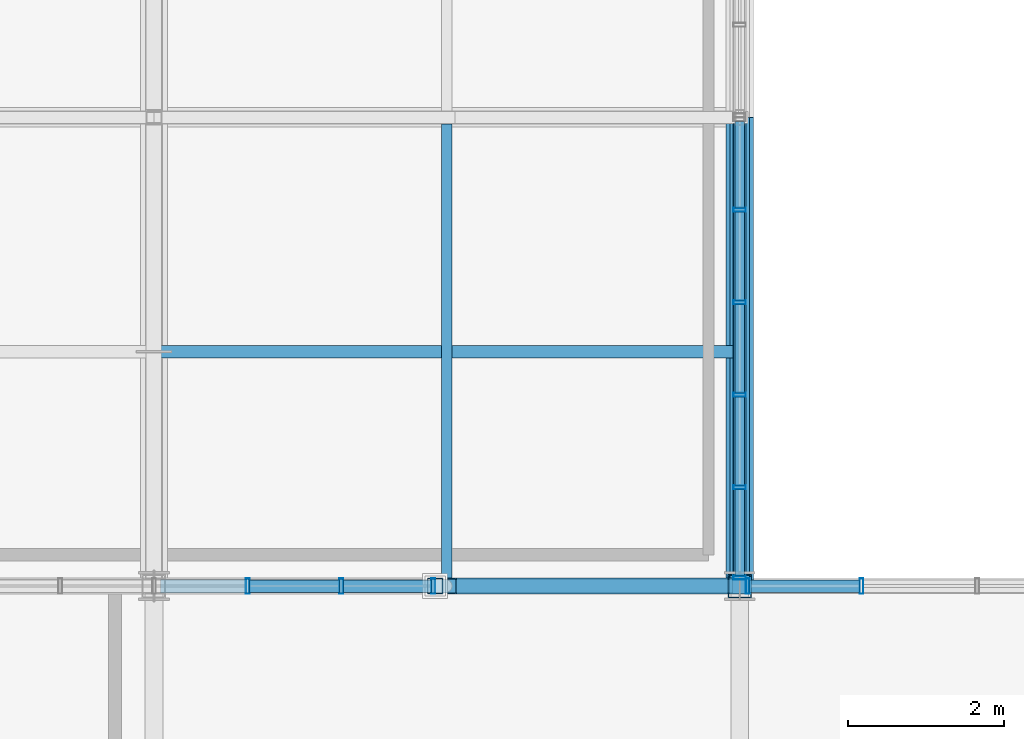
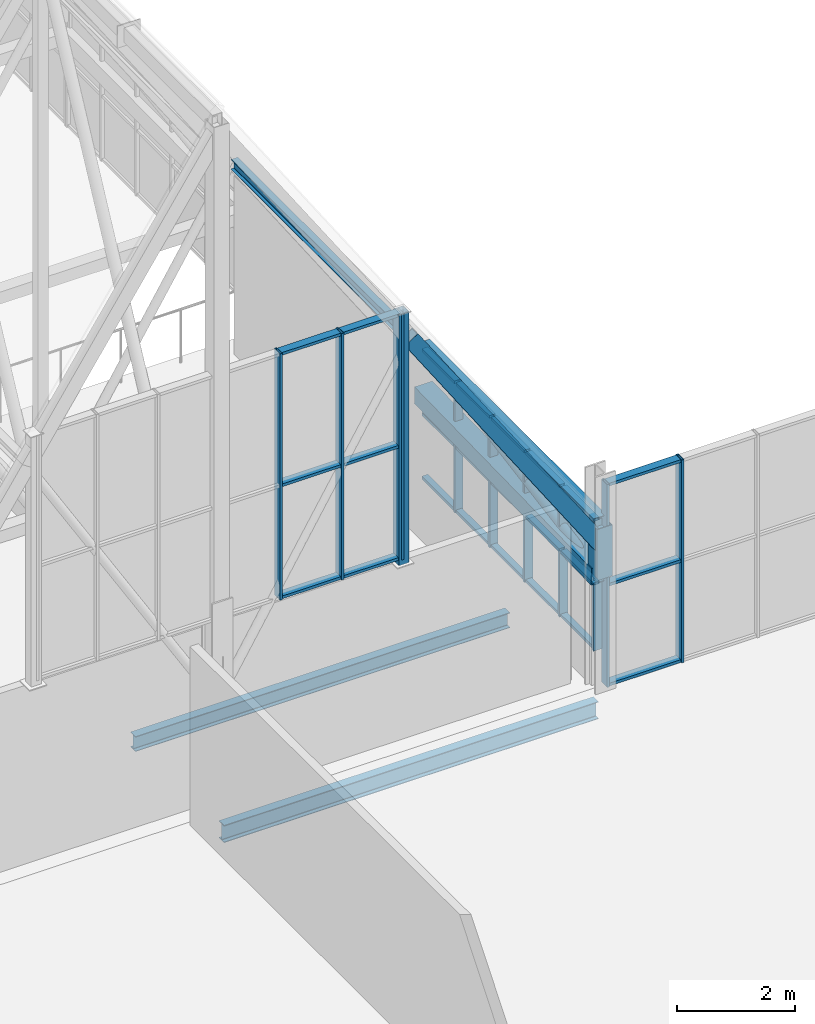
# One storey, part 215 of 324: 40 members, 3 beams, 3 elements without a shape of their own.
"""IFC4 building model written with IfcOpenShell, lengths in metres."""

from ifc_helpers import new_model, si_unit, direction, frame, origin, origin_2d, place, context, subcontext, project, spatial, hollow_rectangle, hollow_circle, i_section, extrude, material, layer, layer_set, material_profile, profile_set, type_object, element, aggregate, save


model = new_model("IFC4")

# Units and contexts
model_context = context("Model", 3, precision=1e-05, world=origin(), true_north=direction((0.0, 1.0)))
body_context = subcontext(model_context, "Body", "Model", "MODEL_VIEW")
ifc_project = project(units=[si_unit("LENGTHUNIT", "METRE"), si_unit("AREAUNIT", "SQUARE_METRE"), si_unit("VOLUMEUNIT", "CUBIC_METRE"), si_unit("PLANEANGLEUNIT", "RADIAN"), si_unit("MASSUNIT", "GRAM", prefix="KILO")], contexts=[model_context])

# Site, building, storey
site_placement = place(None, origin())
site = spatial("IfcSite", under=ifc_project, at=site_placement, CompositionType="ELEMENT")
building_placement = place(site_placement, origin())
building = spatial("IfcBuilding", under=site, at=building_placement, Name="Solvenia Promenade Tram Depot", CompositionType="ELEMENT")
storey_placement = place(building_placement, frame((0.0, 0.0, 4.5)))
storey = spatial("IfcBuildingStorey", under=building, at=storey_placement, Name="L01", CompositionType="ELEMENT", Elevation=4.5)

# Curtain wall, members
ifc_material_1 = material(Name="Anodized aluminium AW-6063 T6", Category="aluminium")
ifc_layer_1 = layer(ifc_material_1, 0.159912109375, Name="Anodized aluminium AW-6063 T6", Category="aluminium")
ifc_layer_set_1 = layer_set([ifc_layer_1], Name="Anodized aluminium AW-6063 T6")
curtain_wall_type_1 = type_object("IfcCurtainWallType", Name="CW-Channel-1200", PredefinedType="NOTDEFINED", material=ifc_layer_set_1)
curtain_wall_1_placement = place(storey_placement, origin())
curtain_wall_1 = element("IfcCurtainWall", 1, at=curtain_wall_1_placement, inside=storey, type_object=curtain_wall_type_1, Name="Curtain Wall CW-V1E-01", PredefinedType="NOTDEFINED")
ifc_material_profile_1 = material_profile(ifc_material_1, hollow_rectangle(XDim=0.159912109375, YDim=0.052001953125, WallThickness=0.00390625, at=origin_2d()), Name="ALU-M1", Category="aluminium")
ifc_profile_set_1 = profile_set([ifc_material_profile_1], Name="Anodized aluminium AW-6063 T6")
member_type_1 = type_object("IfcMemberType", Name="CWM-Mullion-1", PredefinedType="MULLION", material=ifc_profile_set_1)
member_1_placement = place(storey_placement, frame((150.0, 66.10595703125, 0.699951171875), z_axis=(0.0, 0.0, 1.0), x_axis=(-1.0, 0.0, 0.0)))
member_1 = element("IfcMember", 2, at=member_1_placement, type_object=member_type_1, Name="CW-1 mullion 1", PredefinedType="MULLION", context=body_context, shape_type="SweptSolid", body=[
    extrude(hollow_rectangle(XDim=0.159912109375, YDim=0.052001953125, WallThickness=0.00390625, at=origin_2d()), origin(), (0.0, 0.0, 1.0), 2.699951171875),
])
member_2_placement = place(storey_placement, frame((150.0, 67.263916015625, 0.699951171875), z_axis=(0.0, 0.0, 1.0), x_axis=(-1.0, 0.0, 0.0)))
member_2 = element("IfcMember", 3, at=member_2_placement, type_object=member_type_1, Name="CW-1 mullion 2", PredefinedType="MULLION", context=body_context, shape_type="SweptSolid", body=[
    extrude(hollow_rectangle(XDim=0.159912109375, YDim=0.052001953125, WallThickness=0.00390625, at=origin_2d()), origin(), (0.0, 0.0, 1.0), 2.699951171875),
])
member_3_placement = place(storey_placement, frame((150.0, 68.447998046875, 0.699951171875), z_axis=(0.0, 0.0, 1.0), x_axis=(-1.0, 0.0, 0.0)))
member_3 = element("IfcMember", 4, at=member_3_placement, type_object=member_type_1, Name="CW-1 mullion 3", PredefinedType="MULLION", context=body_context, shape_type="SweptSolid", body=[
    extrude(hollow_rectangle(XDim=0.159912109375, YDim=0.052001953125, WallThickness=0.00390625, at=origin_2d()), origin(), (0.0, 0.0, 1.0), 2.699951171875),
])
member_4_placement = place(storey_placement, frame((150.0, 69.632080078125, 0.699951171875), z_axis=(0.0, 0.0, 1.0), x_axis=(-1.0, 0.0, 0.0)))
member_4 = element("IfcMember", 5, at=member_4_placement, type_object=member_type_1, Name="CW-1 mullion 4", PredefinedType="MULLION", context=body_context, shape_type="SweptSolid", body=[
    extrude(hollow_rectangle(XDim=0.159912109375, YDim=0.052001953125, WallThickness=0.00390625, at=origin_2d()), origin(), (0.0, 0.0, 1.0), 2.699951171875),
])
member_5_placement = place(storey_placement, frame((150.0, 70.81591796875, 0.699951171875), z_axis=(0.0, 0.0, 1.0), x_axis=(-1.0, 0.0, 0.0)))
member_5 = element("IfcMember", 6, at=member_5_placement, type_object=member_type_1, Name="CW-1 mullion 5", PredefinedType="MULLION", context=body_context, shape_type="SweptSolid", body=[
    extrude(hollow_rectangle(XDim=0.159912109375, YDim=0.052001953125, WallThickness=0.00390625, at=origin_2d()), origin(), (0.0, 0.0, 1.0), 2.699951171875),
])

ifc_layer_2 = layer(ifc_material_1, 0.14990234375, Name="Anodized aluminium AW-6063 T6", Category="aluminium")
ifc_layer_set_2 = layer_set([ifc_layer_2], Name="Anodized aluminium AW-6063 T6")
curtain_wall_type_2 = type_object("IfcCurtainWallType", Name="CW-Gable-1200", PredefinedType="NOTDEFINED", material=ifc_layer_set_2)
curtain_wall_2_placement = place(storey_placement, origin())
curtain_wall_2 = element("IfcCurtainWall", 7, at=curtain_wall_2_placement, inside=storey, type_object=curtain_wall_type_2, Name="South Zigzag Gable 10 Peak Glazing", PredefinedType="NOTDEFINED")
ifc_material_profile_2 = material_profile(ifc_material_1, hollow_rectangle(XDim=0.199951171875, YDim=0.048095703125, WallThickness=0.00390625, at=origin_2d()), Name="ALU-M3", Category="aluminium")
ifc_profile_set_2 = profile_set([ifc_material_profile_2], Name="Anodized aluminium AW-6063 T6")
member_type_2 = type_object("IfcMemberType", Name="CWM-Mullion-3", PredefinedType="MULLION", material=ifc_profile_set_2)
member_6_placement = place(storey_placement, frame((143.699951171875, 66.0, 4.050048828125), z_axis=(0.0, 0.0, 1.0), x_axis=(0.0, 1.0, 0.0)))
member_6 = element("IfcMember", 8, at=member_6_placement, type_object=member_type_2, Name="CW-3 mullion 5", PredefinedType="MULLION", context=body_context, shape_type="SweptSolid", body=[
    extrude(hollow_rectangle(XDim=0.199951171875, YDim=0.048095703125, WallThickness=0.00390625, at=origin_2d()), origin(), (0.0, 0.0, 1.0), 5.099853515625),
])
member_7_placement = place(storey_placement, frame((144.89990234375, 66.0, 4.050048828125), z_axis=(0.0, 0.0, 1.0), x_axis=(0.0, 1.0, 0.0)))
member_7 = element("IfcMember", 9, at=member_7_placement, type_object=member_type_2, Name="CW-3 mullion 6", PredefinedType="MULLION", context=body_context, shape_type="SweptSolid", body=[
    extrude(hollow_rectangle(XDim=0.199951171875, YDim=0.048095703125, WallThickness=0.00390625, at=origin_2d()), origin(), (0.0, 0.0, 1.0), 5.099853515625),
])
member_8_placement = place(storey_placement, frame((146.075927734375, 66.0, 4.050048828125), z_axis=(0.0, 0.0, 1.0), x_axis=(0.0, 1.0, 0.0)))
member_8 = element("IfcMember", 10, at=member_8_placement, type_object=member_type_2, Name="CW-3 mullion 7", PredefinedType="MULLION", context=body_context, shape_type="SweptSolid", body=[
    extrude(hollow_rectangle(XDim=0.199951171875, YDim=0.048095703125, WallThickness=0.00390625, at=origin_2d()), origin(), (0.0, 0.0, 1.0), 5.099853515625),
])

ifc_layer_3 = layer(ifc_material_1, 0.080078125, Name="Anodized aluminium AW-6063 T6", Category="aluminium")
ifc_layer_set_3 = layer_set([ifc_layer_3], Name="Anodized aluminium AW-6063 T6")
curtain_wall_type_3 = type_object("IfcCurtainWallType", Name="CW-Clerest-1500", PredefinedType="NOTDEFINED", material=ifc_layer_set_3)
curtain_wall_3_placement = place(storey_placement, origin())
curtain_wall_3 = element("IfcCurtainWall", 11, at=curtain_wall_3_placement, inside=storey, type_object=curtain_wall_type_3, Name="Curtain Wall CW-V2N-L1-150", PredefinedType="NOTDEFINED")
member_9_placement = place(storey_placement, frame((150.10400390625, 66.0, 0.0), z_axis=(0.0, 0.0, 1.0), x_axis=(0.0, 1.0, 0.0)))
member_9 = element("IfcMember", 12, at=member_9_placement, type_object=member_type_2, Name="CW-4 mullion 1", PredefinedType="MULLION", context=body_context, shape_type="SweptSolid", body=[
    extrude(hollow_rectangle(XDim=0.199951171875, YDim=0.048095703125, WallThickness=0.00390625, at=origin_2d()), origin(), (0.0, 0.0, 1.0), 4.199951171875),
])
member_10_placement = place(storey_placement, frame((151.56005859375, 66.0, 0.0), z_axis=(0.0, 0.0, 1.0), x_axis=(0.0, 1.0, 0.0)))
member_10 = element("IfcMember", 13, at=member_10_placement, type_object=member_type_2, Name="CW-4 mullion 2", PredefinedType="MULLION", context=body_context, shape_type="SweptSolid", body=[
    extrude(hollow_rectangle(XDim=0.199951171875, YDim=0.048095703125, WallThickness=0.00390625, at=origin_2d()), origin(), (0.0, 0.0, 1.0), 4.199951171875),
])

# Member
ifc_material_profile_3 = material_profile(ifc_material_1, hollow_rectangle(XDim=0.1201171875, YDim=0.06005859375, WallThickness=0.00390625, at=origin_2d()), Name="ALU-T1", Category="aluminium")
ifc_profile_set_3 = profile_set([ifc_material_profile_3], Name="Anodized aluminium AW-6063 T6")
member_type_3 = type_object("IfcMemberType", Name="CWT-Transom-1", PredefinedType="USERDEFINED", material=ifc_profile_set_3)
member_11_placement = place(storey_placement, frame((150.0, 66.132080078125, 0.72998046875), z_axis=(0.0, 1.0, 0.0), x_axis=(-1.0, 0.0, 0.0)))
member_11 = element("IfcMember", 14, at=member_11_placement, type_object=member_type_3, Name="CW-1 transom 1.1", ObjectType="TRANSOM", PredefinedType="USERDEFINED", context=body_context, shape_type="SweptSolid", body=[
    extrude(hollow_rectangle(XDim=0.1201171875, YDim=0.06005859375, WallThickness=0.00390625, at=origin_2d()), origin(), (0.0, 0.0, 1.0), 1.10595703125),
])

member_12_placement = place(storey_placement, frame((150.0, 66.132080078125, 2.050048828125), z_axis=(0.0, 1.0, 0.0), x_axis=(-1.0, 0.0, 0.0)))
member_12 = element("IfcMember", 15, at=member_12_placement, type_object=member_type_3, Name="CW-1 transom 1.2", ObjectType="TRANSOM", PredefinedType="USERDEFINED", context=body_context, shape_type="SweptSolid", body=[
    extrude(hollow_rectangle(XDim=0.1201171875, YDim=0.06005859375, WallThickness=0.00390625, at=origin_2d()), origin(), (0.0, 0.0, 1.0), 1.10595703125),
])

member_13_placement = place(storey_placement, frame((150.0, 66.132080078125, 3.3701171875), z_axis=(0.0, 1.0, 0.0), x_axis=(-1.0, 0.0, 0.0)))
member_13 = element("IfcMember", 16, at=member_13_placement, type_object=member_type_3, Name="CW-1 transom 1.3", ObjectType="TRANSOM", PredefinedType="USERDEFINED", context=body_context, shape_type="SweptSolid", body=[
    extrude(hollow_rectangle(XDim=0.1201171875, YDim=0.06005859375, WallThickness=0.00390625, at=origin_2d()), origin(), (0.0, 0.0, 1.0), 1.10595703125),
])

member_14_placement = place(storey_placement, frame((150.0, 67.2900390625, 0.72998046875), z_axis=(0.0, 1.0, 0.0), x_axis=(-1.0, 0.0, 0.0)))
member_14 = element("IfcMember", 17, at=member_14_placement, type_object=member_type_3, Name="CW-1 transom 2.1", ObjectType="TRANSOM", PredefinedType="USERDEFINED", context=body_context, shape_type="SweptSolid", body=[
    extrude(hollow_rectangle(XDim=0.1201171875, YDim=0.06005859375, WallThickness=0.00390625, at=origin_2d()), origin(), (0.0, 0.0, 1.0), 1.132080078125),
])

member_15_placement = place(storey_placement, frame((150.0, 67.2900390625, 2.050048828125), z_axis=(0.0, 1.0, 0.0), x_axis=(-1.0, 0.0, 0.0)))
member_15 = element("IfcMember", 18, at=member_15_placement, type_object=member_type_3, Name="CW-1 transom 2.2", ObjectType="TRANSOM", PredefinedType="USERDEFINED", context=body_context, shape_type="SweptSolid", body=[
    extrude(hollow_rectangle(XDim=0.1201171875, YDim=0.06005859375, WallThickness=0.00390625, at=origin_2d()), origin(), (0.0, 0.0, 1.0), 1.132080078125),
])

member_16_placement = place(storey_placement, frame((150.0, 67.2900390625, 3.3701171875), z_axis=(0.0, 1.0, 0.0), x_axis=(-1.0, 0.0, 0.0)))
member_16 = element("IfcMember", 19, at=member_16_placement, type_object=member_type_3, Name="CW-1 transom 2.3", ObjectType="TRANSOM", PredefinedType="USERDEFINED", context=body_context, shape_type="SweptSolid", body=[
    extrude(hollow_rectangle(XDim=0.1201171875, YDim=0.06005859375, WallThickness=0.00390625, at=origin_2d()), origin(), (0.0, 0.0, 1.0), 1.132080078125),
])

member_17_placement = place(storey_placement, frame((150.0, 68.47412109375, 0.72998046875), z_axis=(0.0, 1.0, 0.0), x_axis=(-1.0, 0.0, 0.0)))
member_17 = element("IfcMember", 20, at=member_17_placement, type_object=member_type_3, Name="CW-1 transom 3.1", ObjectType="TRANSOM", PredefinedType="USERDEFINED", context=body_context, shape_type="SweptSolid", body=[
    extrude(hollow_rectangle(XDim=0.1201171875, YDim=0.06005859375, WallThickness=0.00390625, at=origin_2d()), origin(), (0.0, 0.0, 1.0), 1.1318359375),
])

member_18_placement = place(storey_placement, frame((150.0, 68.47412109375, 2.050048828125), z_axis=(0.0, 1.0, 0.0), x_axis=(-1.0, 0.0, 0.0)))
member_18 = element("IfcMember", 21, at=member_18_placement, type_object=member_type_3, Name="CW-1 transom 3.2", ObjectType="TRANSOM", PredefinedType="USERDEFINED", context=body_context, shape_type="SweptSolid", body=[
    extrude(hollow_rectangle(XDim=0.1201171875, YDim=0.06005859375, WallThickness=0.00390625, at=origin_2d()), origin(), (0.0, 0.0, 1.0), 1.1318359375),
])

member_19_placement = place(storey_placement, frame((150.0, 68.47412109375, 3.3701171875), z_axis=(0.0, 1.0, 0.0), x_axis=(-1.0, 0.0, 0.0)))
member_19 = element("IfcMember", 22, at=member_19_placement, type_object=member_type_3, Name="CW-1 transom 3.3", ObjectType="TRANSOM", PredefinedType="USERDEFINED", context=body_context, shape_type="SweptSolid", body=[
    extrude(hollow_rectangle(XDim=0.1201171875, YDim=0.06005859375, WallThickness=0.00390625, at=origin_2d()), origin(), (0.0, 0.0, 1.0), 1.1318359375),
])

member_20_placement = place(storey_placement, frame((150.0, 69.657958984375, 0.72998046875), z_axis=(0.0, 1.0, 0.0), x_axis=(-1.0, 0.0, 0.0)))
member_20 = element("IfcMember", 23, at=member_20_placement, type_object=member_type_3, Name="CW-1 transom 4.1", ObjectType="TRANSOM", PredefinedType="USERDEFINED", context=body_context, shape_type="SweptSolid", body=[
    extrude(hollow_rectangle(XDim=0.1201171875, YDim=0.06005859375, WallThickness=0.00390625, at=origin_2d()), origin(), (0.0, 0.0, 1.0), 1.132080078125),
])

member_21_placement = place(storey_placement, frame((150.0, 69.657958984375, 2.050048828125), z_axis=(0.0, 1.0, 0.0), x_axis=(-1.0, 0.0, 0.0)))
member_21 = element("IfcMember", 24, at=member_21_placement, type_object=member_type_3, Name="CW-1 transom 4.2", ObjectType="TRANSOM", PredefinedType="USERDEFINED", context=body_context, shape_type="SweptSolid", body=[
    extrude(hollow_rectangle(XDim=0.1201171875, YDim=0.06005859375, WallThickness=0.00390625, at=origin_2d()), origin(), (0.0, 0.0, 1.0), 1.132080078125),
])

member_22_placement = place(storey_placement, frame((150.0, 69.657958984375, 3.3701171875), z_axis=(0.0, 1.0, 0.0), x_axis=(-1.0, 0.0, 0.0)))
member_22 = element("IfcMember", 25, at=member_22_placement, type_object=member_type_3, Name="CW-1 transom 4.3", ObjectType="TRANSOM", PredefinedType="USERDEFINED", context=body_context, shape_type="SweptSolid", body=[
    extrude(hollow_rectangle(XDim=0.1201171875, YDim=0.06005859375, WallThickness=0.00390625, at=origin_2d()), origin(), (0.0, 0.0, 1.0), 1.132080078125),
])

member_23_placement = place(storey_placement, frame((150.0, 70.842041015625, 0.72998046875), z_axis=(0.0, 1.0, 0.0), x_axis=(-1.0, 0.0, 0.0)))
member_23 = element("IfcMember", 26, at=member_23_placement, type_object=member_type_3, Name="CW-1 transom 5.1", ObjectType="TRANSOM", PredefinedType="USERDEFINED", context=body_context, shape_type="SweptSolid", body=[
    extrude(hollow_rectangle(XDim=0.1201171875, YDim=0.06005859375, WallThickness=0.00390625, at=origin_2d()), origin(), (0.0, 0.0, 1.0), 1.10595703125),
])

member_24_placement = place(storey_placement, frame((150.0, 70.842041015625, 2.050048828125), z_axis=(0.0, 1.0, 0.0), x_axis=(-1.0, 0.0, 0.0)))
member_24 = element("IfcMember", 27, at=member_24_placement, type_object=member_type_3, Name="CW-1 transom 5.2", ObjectType="TRANSOM", PredefinedType="USERDEFINED", context=body_context, shape_type="SweptSolid", body=[
    extrude(hollow_rectangle(XDim=0.1201171875, YDim=0.06005859375, WallThickness=0.00390625, at=origin_2d()), origin(), (0.0, 0.0, 1.0), 1.10595703125),
])

member_25_placement = place(storey_placement, frame((150.0, 70.842041015625, 3.3701171875), z_axis=(0.0, 1.0, 0.0), x_axis=(-1.0, 0.0, 0.0)))
member_25 = element("IfcMember", 28, at=member_25_placement, type_object=member_type_3, Name="CW-1 transom 5.3", ObjectType="TRANSOM", PredefinedType="USERDEFINED", context=body_context, shape_type="SweptSolid", body=[
    extrude(hollow_rectangle(XDim=0.1201171875, YDim=0.06005859375, WallThickness=0.00390625, at=origin_2d()), origin(), (0.0, 0.0, 1.0), 1.10595703125),
])

aggregate(curtain_wall_1, [member_1, member_2, member_3, member_4, member_5, member_11, member_12, member_13, member_14, member_15, member_16, member_17, member_18, member_19, member_20, member_21, member_22, member_23, member_24, member_25])

ifc_material_profile_4 = material_profile(ifc_material_1, hollow_rectangle(XDim=0.159912109375, YDim=0.05810546875, WallThickness=0.00390625, at=origin_2d()), Name="ALU-T3", Category="aluminium")
ifc_profile_set_4 = profile_set([ifc_material_profile_4], Name="Anodized aluminium AW-6063 T6")
member_type_4 = type_object("IfcMemberType", Name="CWT-Transom-3", PredefinedType="USERDEFINED", material=ifc_profile_set_4)
member_26_placement = place(storey_placement, frame((143.72412109375, 66.0, 4.0791015625), z_axis=(1.0, 0.0, 0.0), x_axis=(0.0, 1.0, 0.0)))
member_26 = element("IfcMember", 29, at=member_26_placement, type_object=member_type_4, Name="CW-3 transom 5.1", ObjectType="TRANSOM", PredefinedType="USERDEFINED", context=body_context, shape_type="SweptSolid", body=[
    extrude(hollow_rectangle(XDim=0.159912109375, YDim=0.05810546875, WallThickness=0.00390625, at=origin_2d()), origin(), (0.0, 0.0, 1.0), 1.15185546875),
])

member_27_placement = place(storey_placement, frame((143.72412109375, 66.0, 6.39990234375), z_axis=(1.0, 0.0, 0.0), x_axis=(0.0, 1.0, 0.0)))
member_27 = element("IfcMember", 30, at=member_27_placement, type_object=member_type_4, Name="CW-3 transom 5.2", ObjectType="TRANSOM", PredefinedType="USERDEFINED", context=body_context, shape_type="SweptSolid", body=[
    extrude(hollow_rectangle(XDim=0.159912109375, YDim=0.05810546875, WallThickness=0.00390625, at=origin_2d()), origin(), (0.0, 0.0, 1.0), 1.15185546875),
])

member_28_placement = place(storey_placement, frame((143.72412109375, 66.0, 9.12109375), z_axis=(1.0, 0.0, 0.0), x_axis=(0.0, 1.0, 0.0)))
member_28 = element("IfcMember", 31, at=member_28_placement, type_object=member_type_4, Name="CW-3 transom 5.3", ObjectType="TRANSOM", PredefinedType="USERDEFINED", context=body_context, shape_type="SweptSolid", body=[
    extrude(hollow_rectangle(XDim=0.159912109375, YDim=0.05810546875, WallThickness=0.00390625, at=origin_2d()), origin(), (0.0, 0.0, 1.0), 1.15185546875),
])

member_29_placement = place(storey_placement, frame((144.924072265625, 66.0, 4.0791015625), z_axis=(1.0, 0.0, 0.0), x_axis=(0.0, 1.0, 0.0)))
member_29 = element("IfcMember", 32, at=member_29_placement, type_object=member_type_4, Name="CW-3 transom 6.1", ObjectType="TRANSOM", PredefinedType="USERDEFINED", context=body_context, shape_type="SweptSolid", body=[
    extrude(hollow_rectangle(XDim=0.159912109375, YDim=0.05810546875, WallThickness=0.00390625, at=origin_2d()), origin(), (0.0, 0.0, 1.0), 1.1279296875),
])

member_30_placement = place(storey_placement, frame((144.924072265625, 66.0, 6.39990234375), z_axis=(1.0, 0.0, 0.0), x_axis=(0.0, 1.0, 0.0)))
member_30 = element("IfcMember", 33, at=member_30_placement, type_object=member_type_4, Name="CW-3 transom 6.2", ObjectType="TRANSOM", PredefinedType="USERDEFINED", context=body_context, shape_type="SweptSolid", body=[
    extrude(hollow_rectangle(XDim=0.159912109375, YDim=0.05810546875, WallThickness=0.00390625, at=origin_2d()), origin(), (0.0, 0.0, 1.0), 1.1279296875),
])

member_31_placement = place(storey_placement, frame((144.924072265625, 66.0, 9.12109375), z_axis=(1.0, 0.0, 0.0), x_axis=(0.0, 1.0, 0.0)))
member_31 = element("IfcMember", 34, at=member_31_placement, type_object=member_type_4, Name="CW-3 transom 6.3", ObjectType="TRANSOM", PredefinedType="USERDEFINED", context=body_context, shape_type="SweptSolid", body=[
    extrude(hollow_rectangle(XDim=0.159912109375, YDim=0.05810546875, WallThickness=0.00390625, at=origin_2d()), origin(), (0.0, 0.0, 1.0), 1.1279296875),
])

aggregate(curtain_wall_2, [member_6, member_7, member_8, member_26, member_27, member_28, member_29, member_30, member_31])

member_32_placement = place(storey_placement, frame((150.1279296875, 66.0, 0.029052734375), z_axis=(1.0, 0.0, 0.0), x_axis=(0.0, 1.0, 0.0)))
member_32 = element("IfcMember", 35, at=member_32_placement, type_object=member_type_4, Name="CW-4 transom 1.1", ObjectType="TRANSOM", PredefinedType="USERDEFINED", context=body_context, shape_type="SweptSolid", body=[
    extrude(hollow_rectangle(XDim=0.159912109375, YDim=0.05810546875, WallThickness=0.00390625, at=origin_2d()), origin(), (0.0, 0.0, 1.0), 1.407958984375),
])

member_33_placement = place(storey_placement, frame((150.1279296875, 66.0, 2.10009765625), z_axis=(1.0, 0.0, 0.0), x_axis=(0.0, 1.0, 0.0)))
member_33 = element("IfcMember", 36, at=member_33_placement, type_object=member_type_4, Name="CW-4 transom 1.2", ObjectType="TRANSOM", PredefinedType="USERDEFINED", context=body_context, shape_type="SweptSolid", body=[
    extrude(hollow_rectangle(XDim=0.159912109375, YDim=0.05810546875, WallThickness=0.00390625, at=origin_2d()), origin(), (0.0, 0.0, 1.0), 1.407958984375),
])

member_34_placement = place(storey_placement, frame((150.1279296875, 66.0, 4.1708984375), z_axis=(1.0, 0.0, 0.0), x_axis=(0.0, 1.0, 0.0)))
member_34 = element("IfcMember", 37, at=member_34_placement, type_object=member_type_4, Name="CW-4 transom 1.3", ObjectType="TRANSOM", PredefinedType="USERDEFINED", context=body_context, shape_type="SweptSolid", body=[
    extrude(hollow_rectangle(XDim=0.159912109375, YDim=0.05810546875, WallThickness=0.00390625, at=origin_2d()), origin(), (0.0, 0.0, 1.0), 1.407958984375),
])

aggregate(curtain_wall_3, [member_9, member_10, member_32, member_33, member_34])

# Members
ifc_material_2 = material(Name="Structural steel ASTM A500 Gr. C", Category="steel")
ifc_material_profile_5 = material_profile(ifc_material_2, hollow_rectangle(XDim=0.25, YDim=0.25, WallThickness=0.010009765625, at=origin_2d()), Name="HSS250x250x10", Category="steel")
ifc_profile_set_5 = profile_set([ifc_material_profile_5], Name="Structural steel ASTM A500 Gr. C")
member_type_5 = type_object("IfcMemberType", Name="Chord-HSS250x250x10", PredefinedType="CHORD", material=ifc_profile_set_5)
member_35_placement = place(storey_placement, frame((150.0, 66.0, 3.3798828125), z_axis=(0.0, 1.0, 0.0), x_axis=(-1.0, 0.0, 0.0)))
element("IfcMember", 38, at=member_35_placement, inside=storey, type_object=member_type_5, Name="Arched Truss T21 Upper Chord S01", PredefinedType="CHORD", context=body_context, shape_type="SweptSolid", body=[
    extrude(hollow_rectangle(XDim=0.25, YDim=0.25, WallThickness=0.010009765625, at=origin_2d()), origin(), (0.0, 0.0, 1.0), 6.0),
])
ifc_material_profile_6 = material_profile(ifc_material_2, hollow_rectangle(XDim=0.199951171875, YDim=0.300048828125, WallThickness=0.012451171875, at=origin_2d()), Name="HSS300x200x12.5", Category="steel")
ifc_profile_set_6 = profile_set([ifc_material_profile_6], Name="Structural steel ASTM A500 Gr. C")
member_type_6 = type_object("IfcMemberType", Name="Chord-HSS300x200x12", PredefinedType="CHORD", material=ifc_profile_set_6)
member_36_placement = place(storey_placement, frame((146.25, 66.0, 8.54443359375), z_axis=(0.557276274528, 0.0, -0.830327136644), x_axis=(0.0, 1.0, 0.0)))
element("IfcMember", 39, at=member_36_placement, inside=storey, type_object=member_type_6, Name="Zigzag Gable 10 East Lower Rafter", PredefinedType="CHORD", context=body_context, shape_type="SweptSolid", body=[
    extrude(hollow_rectangle(XDim=0.199951171875, YDim=0.300048828125, WallThickness=0.012451171875, at=origin_2d()), origin(), (0.0, 0.0, 1.0), 6.729248046875),
])
ifc_material_profile_7 = material_profile(ifc_material_2, hollow_rectangle(XDim=0.300048828125, YDim=0.300048828125, WallThickness=0.012451171875, at=origin_2d()), Name="HSS300x300x12.5", Category="steel")
ifc_profile_set_7 = profile_set([ifc_material_profile_7], Name="Structural steel ASTM A500 Gr. C")
member_type_7 = type_object("IfcMemberType", Name="Chord-HSS300x300x12", PredefinedType="CHORD", material=ifc_profile_set_7)
member_37_placement = place(storey_placement, frame((150.0, 66.0, 2.320068359375), z_axis=(0.0, 0.0, 1.0), x_axis=(1.0, 0.0, 0.0)))
element("IfcMember", 40, at=member_37_placement, inside=storey, type_object=member_type_7, Name="Arched Truss T21 S End Post", PredefinedType="CHORD", context=body_context, shape_type="SweptSolid", body=[
    extrude(hollow_rectangle(XDim=0.300048828125, YDim=0.300048828125, WallThickness=0.012451171875, at=origin_2d()), origin(), (0.0, 0.0, 1.0), 1.059814453125),
])
ifc_material_profile_8 = material_profile(ifc_material_2, hollow_rectangle(XDim=0.35009765625, YDim=0.35009765625, WallThickness=0.01611328125, at=origin_2d()), Name="HSS350x350x16", Category="steel")
ifc_profile_set_8 = profile_set([ifc_material_profile_8], Name="Structural steel ASTM A500 Gr. C")
member_type_8 = type_object("IfcMemberType", Name="Chord-HSS350x350x16", PredefinedType="CHORD", material=ifc_profile_set_8)
member_38_placement = place(storey_placement, frame((150.0, 66.0, 2.320068359375), z_axis=(0.0, 0.999779654873, 0.020991467363), x_axis=(-1.0, 0.0, 0.0)))
element("IfcMember", 41, at=member_38_placement, inside=storey, type_object=member_type_8, Name="Arched Truss T21 Bottom Chord S01", PredefinedType="CHORD", context=body_context, shape_type="SweptSolid", body=[
    extrude(hollow_rectangle(XDim=0.35009765625, YDim=0.35009765625, WallThickness=0.01611328125, at=origin_2d()), origin(), (0.0, 0.0, 1.0), 6.001220703125),
])

# Beam
ifc_material_3 = material(Name="Structural steel ASTM A992 Gr. 50", Category="steel")
ifc_material_profile_9 = material_profile(ifc_material_3, i_section(OverallWidth=0.166015625, OverallDepth=0.31298828125, WebThickness=0.006591796875, FlangeThickness=0.01123046875, FilletRadius=0.010009765625, at=origin_2d()), Name="W310x45", Category="steel")
ifc_profile_set_9 = profile_set([ifc_material_profile_9], Name="Structural steel ASTM A992 Gr. 50")
beam_type_1 = type_object("IfcBeamType", Name="Joist-W310x45", PredefinedType="JOIST", material=ifc_profile_set_9)
beam_1_placement = place(storey_placement, frame((142.5849609375, 69.0, -0.37646484375), z_axis=(1.0, 0.0, 0.0), x_axis=(0.0, 1.0, 0.0)))
element("IfcBeam", 42, at=beam_1_placement, inside=storey, type_object=beam_type_1, Name="Secondary Floor Joist BM-L01-0117", PredefinedType="JOIST", context=body_context, shape_type="SweptSolid", body=[
    extrude(i_section(OverallWidth=0.166015625, OverallDepth=0.31298828125, WebThickness=0.006591796875, FlangeThickness=0.01123046875, FilletRadius=0.010009765625, at=origin_2d()), origin(), (0.0, 0.0, 1.0), 7.330078125),
])

# Member
ifc_material_profile_10 = material_profile(ifc_material_2, hollow_rectangle(XDim=0.199951171875, YDim=0.199951171875, WallThickness=0.010009765625, at=origin_2d()), Name="HSS200x200x10", Category="steel")
ifc_profile_set_10 = profile_set([ifc_material_profile_10], Name="Structural steel ASTM A500 Gr. C")
member_type_9 = type_object("IfcMemberType", Name="Post-HSS200x200x10", PredefinedType="POST", material=ifc_profile_set_10)
member_39_placement = place(storey_placement, frame((146.10009765625, 66.0, 3.949951171875), z_axis=(0.0, 0.0, 1.0), x_axis=(1.0, 0.0, 0.0)))
element("IfcMember", 43, at=member_39_placement, inside=storey, type_object=member_type_9, Name="Gable Curtain-Wall Steel Jamb Post 040", PredefinedType="POST", context=body_context, shape_type="SweptSolid", body=[
    extrude(hollow_rectangle(XDim=0.199951171875, YDim=0.199951171875, WallThickness=0.010009765625, at=origin_2d()), origin(), (0.0, 0.0, 1.0), 5.199951171875),
])

# Beams
ifc_material_profile_11 = material_profile(ifc_material_3, i_section(OverallWidth=0.133056640625, OverallDepth=0.20703125, WebThickness=0.005859375, FlangeThickness=0.00830078125, FilletRadius=0.009033203125, at=origin_2d()), Name="W200x27", Category="steel")
ifc_profile_set_11 = profile_set([ifc_material_profile_11], Name="Structural steel ASTM A992 Gr. 50")
beam_type_2 = type_object("IfcBeamType", Name="Purlin-W200x27", PredefinedType="USERDEFINED", material=ifc_profile_set_11)
beam_2_placement = place(storey_placement, frame((146.25, 66.0849609375, 8.551025390625), z_axis=(0.0, 1.0, 0.0), x_axis=(-1.0, 0.0, 0.0)))
element("IfcBeam", 44, at=beam_2_placement, inside=storey, type_object=beam_type_2, Name="Gable Roof Purlin E-0182", ObjectType="PURLIN", PredefinedType="USERDEFINED", context=body_context, shape_type="SweptSolid", body=[
    extrude(i_section(OverallWidth=0.133056640625, OverallDepth=0.20703125, WebThickness=0.005859375, FlangeThickness=0.00830078125, FilletRadius=0.009033203125, at=origin_2d()), origin(), (0.0, 0.0, 1.0), 5.830078125),
])
ifc_material_profile_12 = material_profile(ifc_material_3, i_section(OverallWidth=0.172119140625, OverallDepth=0.35791015625, WebThickness=0.0078125, FlangeThickness=0.01318359375, FilletRadius=0.010986328125, at=origin_2d()), Name="W360x57", Category="steel")
ifc_profile_set_12 = profile_set([ifc_material_profile_12], Name="Structural steel ASTM A992 Gr. 50")
beam_type_3 = type_object("IfcBeamType", Name="Spandrel-W360x57", PredefinedType="SPANDREL", material=ifc_profile_set_12)
beam_3_placement = place(storey_placement, frame((142.5849609375, 66.0, -0.4189453125), z_axis=(1.0, 0.0, 0.0), x_axis=(0.0, 1.0, 0.0)))
element("IfcBeam", 45, at=beam_3_placement, inside=storey, type_object=beam_type_3, Name="Perimeter Spandrel BM-L01-0020", PredefinedType="SPANDREL", context=body_context, shape_type="SweptSolid", body=[
    extrude(i_section(OverallWidth=0.172119140625, OverallDepth=0.35791015625, WebThickness=0.0078125, FlangeThickness=0.01318359375, FilletRadius=0.010986328125, at=origin_2d()), origin(), (0.0, 0.0, 1.0), 7.330078125),
])

# Member
ifc_material_profile_13 = material_profile(ifc_material_2, hollow_circle(Radius=0.084228515625, WallThickness=0.008056640625, at=origin_2d()), Name="CHS168.3x8", Category="steel")
ifc_profile_set_13 = profile_set([ifc_material_profile_13], Name="Structural steel ASTM A500 Gr. C")
member_type_10 = type_object("IfcMemberType", Name="WebDiag-CHS168x8", PredefinedType="BRACE", material=ifc_profile_set_13)
member_40_placement = place(storey_placement, frame((150.0, 66.0, 2.320068359375), z_axis=(0.0, 0.984755712458, 0.173943056143), x_axis=(-1.0, 0.0, 0.0)))
element("IfcMember", 46, at=member_40_placement, inside=storey, type_object=member_type_10, Name="Arched Truss T21 Web Diagonal S01", PredefinedType="BRACE", context=body_context, shape_type="SweptSolid", body=[
    extrude(hollow_circle(Radius=0.084228515625, WallThickness=0.008056640625, at=origin_2d()), origin(), (0.0, 0.0, 1.0), 6.0927734375),
])

save(model, "model.ifc")
